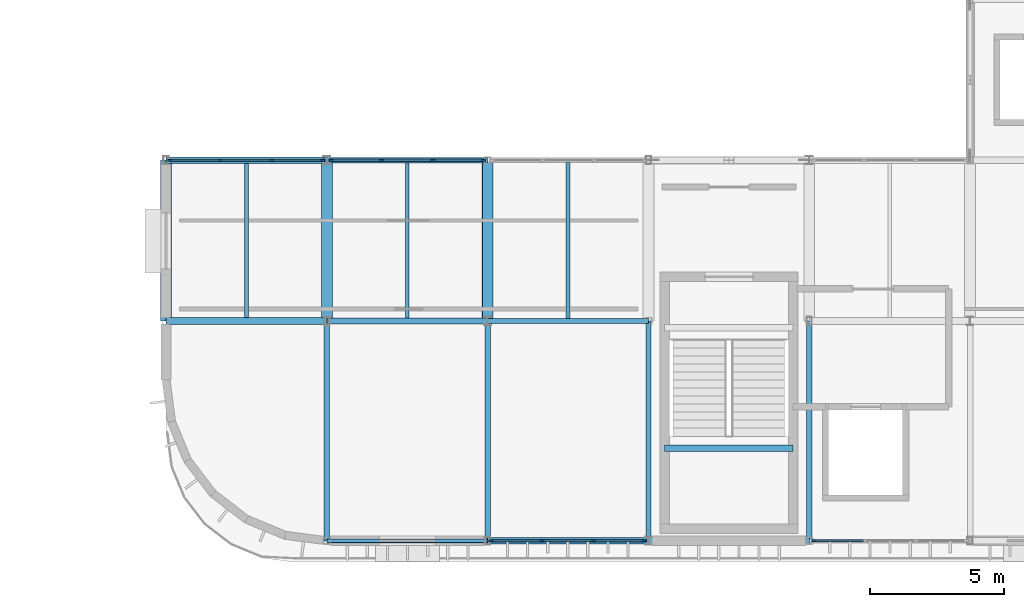
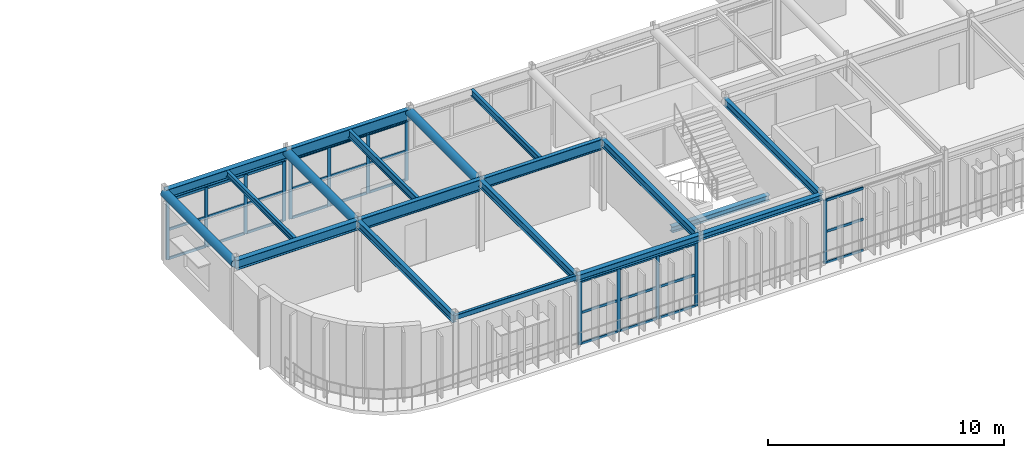
# One storey, part 4 of 27: 43 members, 19 beams, 4 elements without a shape of their own.
"""IFC4 building model written with IfcOpenShell, lengths in metres."""

from ifc_helpers import new_model, si_unit, direction, frame, origin, origin_2d, place, context, subcontext, project, spatial, rectangle, hollow_rectangle, hollow_circle, i_section, extrude, material, material_profile, profile_set, type_object, element, aggregate, save


model = new_model("IFC4")

# Units and contexts
model_context = context("Model", 3, precision=1e-05, world=origin(), true_north=direction((0.0, 1.0)))
body_context = subcontext(model_context, "Body", "Model", "MODEL_VIEW")
ifc_project = project(units=[si_unit("LENGTHUNIT", "METRE"), si_unit("AREAUNIT", "SQUARE_METRE"), si_unit("VOLUMEUNIT", "CUBIC_METRE"), si_unit("PLANEANGLEUNIT", "RADIAN"), si_unit("MASSUNIT", "GRAM", prefix="KILO")], contexts=[model_context])

# Site, building, storey
site_placement = place(None, origin())
site = spatial("IfcSite", under=ifc_project, at=site_placement, CompositionType="ELEMENT")
building_placement = place(site_placement, origin())
building = spatial("IfcBuilding", under=site, at=building_placement, Name="Varnakota Square Police Headquarters", CompositionType="ELEMENT")
storey_placement = place(building_placement, frame((0.0, 0.0, 26.10009765625)))
storey = spatial("IfcBuildingStorey", under=building, at=storey_placement, Name="L06", CompositionType="ELEMENT", Elevation=26.10009765625)

# Beams
ifc_material_1 = material(Name="Steel IS 2062 Grade 350", Category="steel")
ifc_material_profile_1 = material_profile(ifc_material_1, hollow_circle(Radius=0.203125, WallThickness=0.01611328125, at=origin_2d()), Name="CHS 406.4x16.0")
ifc_profile_set_1 = profile_set([ifc_material_profile_1], Name="Steel IS 2062 Grade 350")
beam_type_1 = type_object("IfcBeamType", Name="BM-ARC-CHS406", PredefinedType="BEAM", material=ifc_profile_set_1)
for number, where, z_axis, x_axis, name in (
    (1, (108.0, 9.0, 3.48681640625), (0.0, 1.0, 0.0), (-1.0, 0.0, 0.0), "BMG-L06-3336"),
    (2, (114.0, 9.0, 3.48681640625), (0.0, 1.0, 0.0), (-1.0, 0.0, 0.0), "BMG-L06-3338"),
    (3, (120.0, 9.0, 3.48681640625), (0.0, 1.0, 0.0), (-1.0, 0.0, 0.0), "BMG-L06-3340"),
):
    element("IfcBeam", number, at=place(storey_placement, frame(where, z_axis=z_axis, x_axis=x_axis)), inside=storey, type_object=beam_type_1, Name=name, PredefinedType="BEAM", context=body_context, shape_type="SweptSolid", body=[
        extrude(hollow_circle(Radius=0.203125, WallThickness=0.01611328125, at=origin_2d()), origin(), (0.0, 0.0, 1.0), 6.0),
    ])
ifc_material_profile_2 = material_profile(ifc_material_1, hollow_rectangle(XDim=0.14990234375, YDim=0.25, WallThickness=0.010009765625, InnerFilletRadius=0.010009765625, OuterFilletRadius=0.02001953125, at=origin_2d()), Name="RHS 250x150x10")
ifc_profile_set_2 = profile_set([ifc_material_profile_2], Name="Steel IS 2062 Grade 350")
beam_type_2 = type_object("IfcBeamType", Name="BM-CBEAM-RHS250", PredefinedType="BEAM", material=ifc_profile_set_2)
beam_1_placement = place(storey_placement, frame((114.0, 0.800048828125, 3.56494140625), z_axis=(1.0, 0.0, 0.0), x_axis=(0.0, 1.0, 0.0)))
element("IfcBeam", 4, at=beam_1_placement, inside=storey, type_object=beam_type_2, Name="BMG-L06-3297", PredefinedType="BEAM", context=body_context, shape_type="SweptSolid", body=[
    extrude(hollow_rectangle(XDim=0.14990234375, YDim=0.25, WallThickness=0.010009765625, InnerFilletRadius=0.010009765625, OuterFilletRadius=0.02001953125, at=origin_2d()), origin(), (0.0, 0.0, 1.0), 6.0),
])
ifc_material_profile_3 = material_profile(ifc_material_1, i_section(OverallWidth=0.25, OverallDepth=0.300048828125, WebThickness=0.009521484375, FlangeThickness=0.010498046875, FilletRadius=0.011962890625, at=origin_2d()), Name="ISHB 300")
ifc_profile_set_3 = profile_set([ifc_material_profile_3], Name="Steel IS 2062 Grade 350")
beam_type_3 = type_object("IfcBeamType", Name="BM-ISHB300", PredefinedType="BEAM", material=ifc_profile_set_3)
beam_2_placement = place(storey_placement, frame((126.0, 0.800048828125, 3.539794921875), z_axis=(1.0, 0.0, 0.0), x_axis=(0.0, 1.0, 0.0)))
element("IfcBeam", 5, at=beam_2_placement, inside=storey, type_object=beam_type_3, Name="BMG-L06-3299", PredefinedType="BEAM", context=body_context, shape_type="SweptSolid", body=[
    extrude(i_section(OverallWidth=0.25, OverallDepth=0.300048828125, WebThickness=0.009521484375, FlangeThickness=0.010498046875, FilletRadius=0.011962890625, at=origin_2d()), origin(), (0.0, 0.0, 1.0), 6.0),
])
beam_3_placement = place(storey_placement, frame((126.60009765625, 4.24951171875, 1.6337890625), z_axis=(1.0, 0.0, 0.0), x_axis=(0.0, 1.0, 0.0)))
element("IfcBeam", 6, at=beam_3_placement, inside=storey, type_object=beam_type_3, Name="Stair landing support beam BM-LND-0014", PredefinedType="BEAM", context=body_context, shape_type="SweptSolid", body=[
    extrude(i_section(OverallWidth=0.25, OverallDepth=0.300048828125, WebThickness=0.009521484375, FlangeThickness=0.010498046875, FilletRadius=0.011962890625, at=origin_2d()), origin(), (0.0, 0.0, 1.0), 4.7998046875),
])
ifc_material_profile_4 = material_profile(ifc_material_1, i_section(OverallWidth=0.25, OverallDepth=0.35009765625, WebThickness=0.010009765625, FlangeThickness=0.01171875, FilletRadius=0.011962890625, at=origin_2d()), Name="ISHB 350")
ifc_profile_set_4 = profile_set([ifc_material_profile_4], Name="Steel IS 2062 Grade 350")
beam_type_4 = type_object("IfcBeamType", Name="BM-ISHB350", PredefinedType="BEAM", material=ifc_profile_set_4)
beam_4_placement = place(storey_placement, frame((120.0, 0.800048828125, 3.514892578125), z_axis=(1.0, 0.0, 0.0), x_axis=(0.0, 1.0, 0.0)))
element("IfcBeam", 7, at=beam_4_placement, inside=storey, type_object=beam_type_4, Name="BMG-L06-3298", PredefinedType="BEAM", context=body_context, shape_type="SweptSolid", body=[
    extrude(i_section(OverallWidth=0.25, OverallDepth=0.35009765625, WebThickness=0.010009765625, FlangeThickness=0.01171875, FilletRadius=0.011962890625, at=origin_2d()), origin(), (0.0, 0.0, 1.0), 6.0),
])
ifc_material_profile_5 = material_profile(ifc_material_1, i_section(OverallWidth=0.139892578125, OverallDepth=0.300048828125, WebThickness=0.0078125, FlangeThickness=0.01318359375, FilletRadius=0.013916015625, at=origin_2d()), Name="ISMB 300")
ifc_profile_set_5 = profile_set([ifc_material_profile_5], Name="Steel IS 2062 Grade 350")
beam_type_5 = type_object("IfcBeamType", Name="BM-ISMB300", PredefinedType="JOIST", material=ifc_profile_set_5)
beam_5_placement = place(storey_placement, frame((111.0, 9.123046875, 3.539794921875), z_axis=(0.0, 1.0, 0.0), x_axis=(-1.0, 0.0, 0.0)))
element("IfcBeam", 8, at=beam_5_placement, inside=storey, type_object=beam_type_5, Name="BMG-L06-3372", PredefinedType="JOIST", context=body_context, shape_type="SweptSolid", body=[
    extrude(i_section(OverallWidth=0.139892578125, OverallDepth=0.300048828125, WebThickness=0.0078125, FlangeThickness=0.01318359375, FilletRadius=0.013916015625, at=origin_2d()), origin(), (0.0, 0.0, 1.0), 5.75390625),
])
ifc_material_profile_6 = material_profile(ifc_material_1, i_section(OverallWidth=0.139892578125, OverallDepth=0.35009765625, WebThickness=0.008056640625, FlangeThickness=0.01416015625, FilletRadius=0.013916015625, at=origin_2d()), Name="ISMB 350")
ifc_profile_set_6 = profile_set([ifc_material_profile_6], Name="Steel IS 2062 Grade 350")
beam_type_6 = type_object("IfcBeamType", Name="BM-ISMB350", PredefinedType="JOIST", material=ifc_profile_set_6)
beam_6_placement = place(storey_placement, frame((123.0, 9.093017578125, 3.514892578125), z_axis=(0.0, 1.0, 0.0), x_axis=(-1.0, 0.0, 0.0)))
element("IfcBeam", 9, at=beam_6_placement, inside=storey, type_object=beam_type_6, Name="BMG-L06-3374", PredefinedType="JOIST", context=body_context, shape_type="SweptSolid", body=[
    extrude(i_section(OverallWidth=0.139892578125, OverallDepth=0.35009765625, WebThickness=0.008056640625, FlangeThickness=0.01416015625, FilletRadius=0.013916015625, at=origin_2d()), origin(), (0.0, 0.0, 1.0), 5.81396484375),
])
ifc_material_profile_7 = material_profile(ifc_material_1, i_section(OverallWidth=0.139892578125, OverallDepth=0.39990234375, WebThickness=0.0087890625, FlangeThickness=0.01611328125, FilletRadius=0.013916015625, at=origin_2d()), Name="ISMB 400")
ifc_profile_set_7 = profile_set([ifc_material_profile_7], Name="Steel IS 2062 Grade 350")
beam_type_7 = type_object("IfcBeamType", Name="BM-ISMB400", PredefinedType="JOIST", material=ifc_profile_set_7)
beam_7_placement = place(storey_placement, frame((117.0, 9.10302734375, 3.489990234375), z_axis=(0.0, 1.0, 0.0), x_axis=(-1.0, 0.0, 0.0)))
element("IfcBeam", 10, at=beam_7_placement, inside=storey, type_object=beam_type_7, Name="BMG-L06-3373", PredefinedType="JOIST", context=body_context, shape_type="SweptSolid", body=[
    extrude(i_section(OverallWidth=0.139892578125, OverallDepth=0.39990234375, WebThickness=0.0087890625, FlangeThickness=0.01611328125, FilletRadius=0.013916015625, at=origin_2d()), origin(), (0.0, 0.0, 1.0), 5.7939453125),
])
ifc_material_profile_8 = material_profile(ifc_material_1, i_section(OverallWidth=0.18994140625, OverallDepth=0.550048828125, WebThickness=0.01123046875, FlangeThickness=0.019287109375, FilletRadius=0.01806640625, at=origin_2d()), Name="ISMB 550")
ifc_profile_set_8 = profile_set([ifc_material_profile_8], Name="Steel IS 2062 Grade 350")
beam_type_8 = type_object("IfcBeamType", Name="BM-ISMB550", PredefinedType="BEAM", material=ifc_profile_set_8)
beam_8_placement = place(storey_placement, frame((120.0, 9.0, 3.414794921875), z_axis=(1.0, 0.0, 0.0), x_axis=(0.0, 1.0, 0.0)))
element("IfcBeam", 11, at=beam_8_placement, inside=storey, type_object=beam_type_8, Name="BMG-L06-3306", PredefinedType="BEAM", context=body_context, shape_type="SweptSolid", body=[
    extrude(i_section(OverallWidth=0.18994140625, OverallDepth=0.550048828125, WebThickness=0.01123046875, FlangeThickness=0.019287109375, FilletRadius=0.01806640625, at=origin_2d()), origin(), (0.0, 0.0, 1.0), 6.0),
])
ifc_material_profile_9 = material_profile(ifc_material_1, i_section(OverallWidth=0.2099609375, OverallDepth=0.60009765625, WebThickness=0.011962890625, FlangeThickness=0.020751953125, FilletRadius=0.02001953125, at=origin_2d()), Name="ISMB 600")
ifc_profile_set_9 = profile_set([ifc_material_profile_9], Name="Steel IS 2062 Grade 350")
beam_type_9 = type_object("IfcBeamType", Name="BM-ISMB600", PredefinedType="BEAM", material=ifc_profile_set_9)
for number, where, z_axis, x_axis, name in (
    (12, (114.0, 9.0, 3.389892578125), (1.0, 0.0, 0.0), (0.0, 1.0, 0.0), "BMG-L06-3305"),
    (13, (114.0, 15.0, 3.389892578125), (1.0, 0.0, 0.0), (0.0, 1.0, 0.0), "BMG-L06-3313"),
):
    element("IfcBeam", number, at=place(storey_placement, frame(where, z_axis=z_axis, x_axis=x_axis)), inside=storey, type_object=beam_type_9, Name=name, PredefinedType="BEAM", context=body_context, shape_type="SweptSolid", body=[
        extrude(i_section(OverallWidth=0.2099609375, OverallDepth=0.60009765625, WebThickness=0.011962890625, FlangeThickness=0.020751953125, FilletRadius=0.02001953125, at=origin_2d()), origin(), (0.0, 0.0, 1.0), 6.0),
    ])
ifc_material_profile_10 = material_profile(ifc_material_1, i_section(OverallWidth=0.199951171875, OverallDepth=0.39990234375, WebThickness=0.008544921875, FlangeThickness=0.012939453125, FilletRadius=0.012939453125, at=origin_2d()), Name="ISWB 400")
ifc_profile_set_10 = profile_set([ifc_material_profile_10], Name="Steel IS 2062 Grade 350")
beam_type_10 = type_object("IfcBeamType", Name="BM-ISWB400", PredefinedType="BEAM", material=ifc_profile_set_10)
for number, where, z_axis, x_axis, name in (
    (14, (114.0, 0.800048828125, 3.489990234375), (0.0, 1.0, 0.0), (-1.0, 0.0, 0.0), "BMG-L06-3337"),
    (15, (120.0, 0.800048828125, 3.489990234375), (0.0, 1.0, 0.0), (-1.0, 0.0, 0.0), "BMG-L06-3339"),
    (16, (126.0, 0.800048828125, 3.489990234375), (0.0, 1.0, 0.0), (-1.0, 0.0, 0.0), "BMG-L06-3341"),
    (17, (132.0, 0.800048828125, 3.489990234375), (0.0, 1.0, 0.0), (-1.0, 0.0, 0.0), "BMG-L06-3343"),
):
    element("IfcBeam", number, at=place(storey_placement, frame(where, z_axis=z_axis, x_axis=x_axis)), inside=storey, type_object=beam_type_10, Name=name, PredefinedType="BEAM", context=body_context, shape_type="SweptSolid", body=[
        extrude(i_section(OverallWidth=0.199951171875, OverallDepth=0.39990234375, WebThickness=0.008544921875, FlangeThickness=0.012939453125, FilletRadius=0.012939453125, at=origin_2d()), origin(), (0.0, 0.0, 1.0), 8.199951171875),
    ])
ifc_material_profile_11 = material_profile(ifc_material_1, i_section(OverallWidth=0.25, OverallDepth=0.5, WebThickness=0.010009765625, FlangeThickness=0.0146484375, FilletRadius=0.014892578125, at=origin_2d()), Name="ISWB 500")
ifc_profile_set_11 = profile_set([ifc_material_profile_11], Name="Steel IS 2062 Grade 350")
beam_type_11 = type_object("IfcBeamType", Name="BM-ISWB500", PredefinedType="BEAM", material=ifc_profile_set_11)
for number, where, z_axis, x_axis, name in (
    (18, (108.0, 9.0, 3.43994140625), (1.0, 0.0, 0.0), (0.0, 1.0, 0.0), "BMG-L06-3304"),
    (19, (108.0, 15.0, 3.43994140625), (1.0, 0.0, 0.0), (0.0, 1.0, 0.0), "BMG-L06-3312"),
):
    element("IfcBeam", number, at=place(storey_placement, frame(where, z_axis=z_axis, x_axis=x_axis)), inside=storey, type_object=beam_type_11, Name=name, PredefinedType="BEAM", context=body_context, shape_type="SweptSolid", body=[
        extrude(i_section(OverallWidth=0.25, OverallDepth=0.5, WebThickness=0.010009765625, FlangeThickness=0.0146484375, FilletRadius=0.014892578125, at=origin_2d()), origin(), (0.0, 0.0, 1.0), 6.0),
    ])

# Curtain wall, members
ifc_material_2 = material(Name="Anodised Aluminium Framing", Category="aluminium")
curtain_wall_type_1 = type_object("IfcCurtainWallType", Name="CW-SYS-F", PredefinedType="NOTDEFINED", material=ifc_material_2)
curtain_wall_1_placement = place(storey_placement, origin())
curtain_wall_1 = element("IfcCurtainWall", 20, at=curtain_wall_1_placement, inside=storey, type_object=curtain_wall_type_1, Name="Unitised curtain wall CWG-L06-110", PredefinedType="NOTDEFINED")
ifc_material_3 = material(Name="Anodised Aluminium 6063-T6", Category="aluminium")
ifc_material_profile_12 = material_profile(ifc_material_3, rectangle(XDim=0.06494140625, YDim=0.159912109375, at=origin_2d()), Name="ALU MULLION 65x160")
ifc_profile_set_12 = profile_set([ifc_material_profile_12], Name="Anodised Aluminium 6063-T6")
member_type_1 = type_object("IfcMemberType", Name="CWM-150", PredefinedType="MULLION", material=ifc_profile_set_12)
member_1_placement = place(storey_placement, frame((120.137451171875, 0.800048828125, 0.0), z_axis=(0.0, 0.0, 1.0), x_axis=(0.0, 1.0, 0.0)))
member_1 = element("IfcMember", 21, at=member_1_placement, type_object=member_type_1, Name="CWG-L06-110 mullion 1", PredefinedType="MULLION", context=body_context, shape_type="SweptSolid", body=[
    extrude(rectangle(XDim=0.06494140625, YDim=0.159912109375, at=origin_2d()), origin(), (0.0, 0.0, 1.0), 3.27978515625),
])
member_2_placement = place(storey_placement, frame((122.026611328125, 0.800048828125, 0.0), z_axis=(0.0, 0.0, 1.0), x_axis=(0.0, 1.0, 0.0)))
member_2 = element("IfcMember", 22, at=member_2_placement, type_object=member_type_1, Name="CWG-L06-110 mullion 2", PredefinedType="MULLION", context=body_context, shape_type="SweptSolid", body=[
    extrude(rectangle(XDim=0.06494140625, YDim=0.159912109375, at=origin_2d()), origin(), (0.0, 0.0, 1.0), 3.27978515625),
])
member_3_placement = place(storey_placement, frame((123.9482421875, 0.800048828125, 0.0), z_axis=(0.0, 0.0, 1.0), x_axis=(0.0, 1.0, 0.0)))
member_3 = element("IfcMember", 23, at=member_3_placement, type_object=member_type_1, Name="CWG-L06-110 mullion 3", PredefinedType="MULLION", context=body_context, shape_type="SweptSolid", body=[
    extrude(rectangle(XDim=0.06494140625, YDim=0.159912109375, at=origin_2d()), origin(), (0.0, 0.0, 1.0), 3.27978515625),
])
member_4_placement = place(storey_placement, frame((125.83740234375, 0.800048828125, 0.0), z_axis=(0.0, 0.0, 1.0), x_axis=(0.0, 1.0, 0.0)))
member_4 = element("IfcMember", 24, at=member_4_placement, type_object=member_type_1, Name="CWG-L06-110 mullion 4", PredefinedType="MULLION", context=body_context, shape_type="SweptSolid", body=[
    extrude(rectangle(XDim=0.06494140625, YDim=0.159912109375, at=origin_2d()), origin(), (0.0, 0.0, 1.0), 3.27978515625),
])

# Curtain wall, member
curtain_wall_2_placement = place(storey_placement, origin())
curtain_wall_2 = element("IfcCurtainWall", 25, at=curtain_wall_2_placement, inside=storey, type_object=curtain_wall_type_1, Name="Unitised curtain wall CWG-L06-111", PredefinedType="NOTDEFINED")
member_5_placement = place(storey_placement, frame((132.16259765625, 0.800048828125, 0.0), z_axis=(0.0, 0.0, 1.0), x_axis=(0.0, 1.0, 0.0)))
member_5 = element("IfcMember", 26, at=member_5_placement, type_object=member_type_1, Name="CWG-L06-111 mullion 1", PredefinedType="MULLION", context=body_context, shape_type="SweptSolid", body=[
    extrude(rectangle(XDim=0.06494140625, YDim=0.159912109375, at=origin_2d()), origin(), (0.0, 0.0, 1.0), 3.27978515625),
])

# Curtain wall, members
curtain_wall_type_2 = type_object("IfcCurtainWallType", Name="CW-SYS-D", PredefinedType="NOTDEFINED", material=ifc_material_2)
curtain_wall_3_placement = place(storey_placement, origin())
curtain_wall_3 = element("IfcCurtainWall", 27, at=curtain_wall_3_placement, inside=storey, type_object=curtain_wall_type_2, Name="Unitised curtain wall CWG-L06-113", PredefinedType="NOTDEFINED")
member_6_placement = place(storey_placement, frame((108.137451171875, 15.0, 0.0), z_axis=(0.0, 0.0, 1.0), x_axis=(0.0, 1.0, 0.0)))
member_6 = element("IfcMember", 28, at=member_6_placement, type_object=member_type_1, Name="CWG-L06-113 mullion 1", PredefinedType="MULLION", context=body_context, shape_type="SweptSolid", body=[
    extrude(rectangle(XDim=0.06494140625, YDim=0.159912109375, at=origin_2d()), origin(), (0.0, 0.0, 1.0), 3.079833984375),
])
member_7_placement = place(storey_placement, frame((110.026611328125, 15.0, 0.0), z_axis=(0.0, 0.0, 1.0), x_axis=(0.0, 1.0, 0.0)))
member_7 = element("IfcMember", 29, at=member_7_placement, type_object=member_type_1, Name="CWG-L06-113 mullion 2", PredefinedType="MULLION", context=body_context, shape_type="SweptSolid", body=[
    extrude(rectangle(XDim=0.06494140625, YDim=0.159912109375, at=origin_2d()), origin(), (0.0, 0.0, 1.0), 3.079833984375),
])
member_8_placement = place(storey_placement, frame((111.9482421875, 15.0, 0.0), z_axis=(0.0, 0.0, 1.0), x_axis=(0.0, 1.0, 0.0)))
member_8 = element("IfcMember", 30, at=member_8_placement, type_object=member_type_1, Name="CWG-L06-113 mullion 3", PredefinedType="MULLION", context=body_context, shape_type="SweptSolid", body=[
    extrude(rectangle(XDim=0.06494140625, YDim=0.159912109375, at=origin_2d()), origin(), (0.0, 0.0, 1.0), 3.079833984375),
])
member_9_placement = place(storey_placement, frame((113.83740234375, 15.0, 0.0), z_axis=(0.0, 0.0, 1.0), x_axis=(0.0, 1.0, 0.0)))
member_9 = element("IfcMember", 31, at=member_9_placement, type_object=member_type_1, Name="CWG-L06-113 mullion 4", PredefinedType="MULLION", context=body_context, shape_type="SweptSolid", body=[
    extrude(rectangle(XDim=0.06494140625, YDim=0.159912109375, at=origin_2d()), origin(), (0.0, 0.0, 1.0), 3.079833984375),
])

curtain_wall_4_placement = place(storey_placement, origin())
curtain_wall_4 = element("IfcCurtainWall", 32, at=curtain_wall_4_placement, inside=storey, type_object=curtain_wall_type_2, Name="Unitised curtain wall CWG-L06-114", PredefinedType="NOTDEFINED")
member_10_placement = place(storey_placement, frame((114.16259765625, 15.0, 0.0), z_axis=(0.0, 0.0, 1.0), x_axis=(0.0, 1.0, 0.0)))
member_10 = element("IfcMember", 33, at=member_10_placement, type_object=member_type_1, Name="CWG-L06-114 mullion 1", PredefinedType="MULLION", context=body_context, shape_type="SweptSolid", body=[
    extrude(rectangle(XDim=0.06494140625, YDim=0.159912109375, at=origin_2d()), origin(), (0.0, 0.0, 1.0), 3.079833984375),
])
member_11_placement = place(storey_placement, frame((116.043212890625, 15.0, 0.0), z_axis=(0.0, 0.0, 1.0), x_axis=(0.0, 1.0, 0.0)))
member_11 = element("IfcMember", 34, at=member_11_placement, type_object=member_type_1, Name="CWG-L06-114 mullion 2", PredefinedType="MULLION", context=body_context, shape_type="SweptSolid", body=[
    extrude(rectangle(XDim=0.06494140625, YDim=0.159912109375, at=origin_2d()), origin(), (0.0, 0.0, 1.0), 3.079833984375),
])
member_12_placement = place(storey_placement, frame((117.956787109375, 15.0, 0.0), z_axis=(0.0, 0.0, 1.0), x_axis=(0.0, 1.0, 0.0)))
member_12 = element("IfcMember", 35, at=member_12_placement, type_object=member_type_1, Name="CWG-L06-114 mullion 3", PredefinedType="MULLION", context=body_context, shape_type="SweptSolid", body=[
    extrude(rectangle(XDim=0.06494140625, YDim=0.159912109375, at=origin_2d()), origin(), (0.0, 0.0, 1.0), 3.079833984375),
])
member_13_placement = place(storey_placement, frame((119.83740234375, 15.0, 0.0), z_axis=(0.0, 0.0, 1.0), x_axis=(0.0, 1.0, 0.0)))
member_13 = element("IfcMember", 36, at=member_13_placement, type_object=member_type_1, Name="CWG-L06-114 mullion 4", PredefinedType="MULLION", context=body_context, shape_type="SweptSolid", body=[
    extrude(rectangle(XDim=0.06494140625, YDim=0.159912109375, at=origin_2d()), origin(), (0.0, 0.0, 1.0), 3.079833984375),
])

# Member
ifc_material_profile_13 = material_profile(ifc_material_3, rectangle(XDim=0.06494140625, YDim=0.1298828125, at=origin_2d()), Name="ALU TRANSOM 65x130")
ifc_profile_set_13 = profile_set([ifc_material_profile_13], Name="Anodised Aluminium 6063-T6")
member_type_2 = type_object("IfcMemberType", Name="CWT-120", PredefinedType="USERDEFINED", material=ifc_profile_set_13)
member_14_placement = place(storey_placement, frame((120.169921875, 0.800048828125, 0.032470703125), z_axis=(1.0, 0.0, 0.0), x_axis=(0.0, 1.0, 0.0)))
member_14 = element("IfcMember", 37, at=member_14_placement, type_object=member_type_2, Name="CWG-L06-110 transom 1.1", ObjectType="TRANSOM", PredefinedType="USERDEFINED", context=body_context, shape_type="SweptSolid", body=[
    extrude(rectangle(XDim=0.06494140625, YDim=0.1298828125, at=origin_2d()), origin(), (0.0, 0.0, 1.0), 1.82421875),
])

member_15_placement = place(storey_placement, frame((120.169921875, 0.800048828125, 1.639892578125), z_axis=(1.0, 0.0, 0.0), x_axis=(0.0, 1.0, 0.0)))
member_15 = element("IfcMember", 38, at=member_15_placement, type_object=member_type_2, Name="CWG-L06-110 transom 1.2", ObjectType="TRANSOM", PredefinedType="USERDEFINED", context=body_context, shape_type="SweptSolid", body=[
    extrude(rectangle(XDim=0.06494140625, YDim=0.1298828125, at=origin_2d()), origin(), (0.0, 0.0, 1.0), 1.82421875),
])

member_16_placement = place(storey_placement, frame((120.169921875, 0.800048828125, 3.247314453125), z_axis=(1.0, 0.0, 0.0), x_axis=(0.0, 1.0, 0.0)))
member_16 = element("IfcMember", 39, at=member_16_placement, type_object=member_type_2, Name="CWG-L06-110 transom 1.3", ObjectType="TRANSOM", PredefinedType="USERDEFINED", context=body_context, shape_type="SweptSolid", body=[
    extrude(rectangle(XDim=0.06494140625, YDim=0.1298828125, at=origin_2d()), origin(), (0.0, 0.0, 1.0), 1.82421875),
])

member_17_placement = place(storey_placement, frame((122.05908203125, 0.800048828125, 0.032470703125), z_axis=(1.0, 0.0, 0.0), x_axis=(0.0, 1.0, 0.0)))
member_17 = element("IfcMember", 40, at=member_17_placement, type_object=member_type_2, Name="CWG-L06-110 transom 2.1", ObjectType="TRANSOM", PredefinedType="USERDEFINED", context=body_context, shape_type="SweptSolid", body=[
    extrude(rectangle(XDim=0.06494140625, YDim=0.1298828125, at=origin_2d()), origin(), (0.0, 0.0, 1.0), 1.856689453125),
])

member_18_placement = place(storey_placement, frame((122.05908203125, 0.800048828125, 1.639892578125), z_axis=(1.0, 0.0, 0.0), x_axis=(0.0, 1.0, 0.0)))
member_18 = element("IfcMember", 41, at=member_18_placement, type_object=member_type_2, Name="CWG-L06-110 transom 2.2", ObjectType="TRANSOM", PredefinedType="USERDEFINED", context=body_context, shape_type="SweptSolid", body=[
    extrude(rectangle(XDim=0.06494140625, YDim=0.1298828125, at=origin_2d()), origin(), (0.0, 0.0, 1.0), 1.856689453125),
])

member_19_placement = place(storey_placement, frame((122.05908203125, 0.800048828125, 3.247314453125), z_axis=(1.0, 0.0, 0.0), x_axis=(0.0, 1.0, 0.0)))
member_19 = element("IfcMember", 42, at=member_19_placement, type_object=member_type_2, Name="CWG-L06-110 transom 2.3", ObjectType="TRANSOM", PredefinedType="USERDEFINED", context=body_context, shape_type="SweptSolid", body=[
    extrude(rectangle(XDim=0.06494140625, YDim=0.1298828125, at=origin_2d()), origin(), (0.0, 0.0, 1.0), 1.856689453125),
])

member_20_placement = place(storey_placement, frame((123.980712890625, 0.800048828125, 0.032470703125), z_axis=(1.0, 0.0, 0.0), x_axis=(0.0, 1.0, 0.0)))
member_20 = element("IfcMember", 43, at=member_20_placement, type_object=member_type_2, Name="CWG-L06-110 transom 3.1", ObjectType="TRANSOM", PredefinedType="USERDEFINED", context=body_context, shape_type="SweptSolid", body=[
    extrude(rectangle(XDim=0.06494140625, YDim=0.1298828125, at=origin_2d()), origin(), (0.0, 0.0, 1.0), 1.82421875),
])

member_21_placement = place(storey_placement, frame((123.980712890625, 0.800048828125, 1.639892578125), z_axis=(1.0, 0.0, 0.0), x_axis=(0.0, 1.0, 0.0)))
member_21 = element("IfcMember", 44, at=member_21_placement, type_object=member_type_2, Name="CWG-L06-110 transom 3.2", ObjectType="TRANSOM", PredefinedType="USERDEFINED", context=body_context, shape_type="SweptSolid", body=[
    extrude(rectangle(XDim=0.06494140625, YDim=0.1298828125, at=origin_2d()), origin(), (0.0, 0.0, 1.0), 1.82421875),
])

member_22_placement = place(storey_placement, frame((123.980712890625, 0.800048828125, 3.247314453125), z_axis=(1.0, 0.0, 0.0), x_axis=(0.0, 1.0, 0.0)))
member_22 = element("IfcMember", 45, at=member_22_placement, type_object=member_type_2, Name="CWG-L06-110 transom 3.3", ObjectType="TRANSOM", PredefinedType="USERDEFINED", context=body_context, shape_type="SweptSolid", body=[
    extrude(rectangle(XDim=0.06494140625, YDim=0.1298828125, at=origin_2d()), origin(), (0.0, 0.0, 1.0), 1.82421875),
])

aggregate(curtain_wall_1, [member_1, member_2, member_3, member_4, member_14, member_15, member_16, member_17, member_18, member_19, member_20, member_21, member_22])

member_23_placement = place(storey_placement, frame((132.195068359375, 0.800048828125, 0.032470703125), z_axis=(1.0, 0.0, 0.0), x_axis=(0.0, 1.0, 0.0)))
member_23 = element("IfcMember", 46, at=member_23_placement, type_object=member_type_2, Name="CWG-L06-111 transom 1.1", ObjectType="TRANSOM", PredefinedType="USERDEFINED", context=body_context, shape_type="SweptSolid", body=[
    extrude(rectangle(XDim=0.06494140625, YDim=0.1298828125, at=origin_2d()), origin(), (0.0, 0.0, 1.0), 1.82421875),
])

member_24_placement = place(storey_placement, frame((132.195068359375, 0.800048828125, 1.639892578125), z_axis=(1.0, 0.0, 0.0), x_axis=(0.0, 1.0, 0.0)))
member_24 = element("IfcMember", 47, at=member_24_placement, type_object=member_type_2, Name="CWG-L06-111 transom 1.2", ObjectType="TRANSOM", PredefinedType="USERDEFINED", context=body_context, shape_type="SweptSolid", body=[
    extrude(rectangle(XDim=0.06494140625, YDim=0.1298828125, at=origin_2d()), origin(), (0.0, 0.0, 1.0), 1.82421875),
])

member_25_placement = place(storey_placement, frame((132.195068359375, 0.800048828125, 3.247314453125), z_axis=(1.0, 0.0, 0.0), x_axis=(0.0, 1.0, 0.0)))
member_25 = element("IfcMember", 48, at=member_25_placement, type_object=member_type_2, Name="CWG-L06-111 transom 1.3", ObjectType="TRANSOM", PredefinedType="USERDEFINED", context=body_context, shape_type="SweptSolid", body=[
    extrude(rectangle(XDim=0.06494140625, YDim=0.1298828125, at=origin_2d()), origin(), (0.0, 0.0, 1.0), 1.82421875),
])

aggregate(curtain_wall_2, [member_5, member_23, member_24, member_25])

member_26_placement = place(storey_placement, frame((108.169921875, 15.0, 0.032470703125), z_axis=(1.0, 0.0, 0.0), x_axis=(0.0, 1.0, 0.0)))
member_26 = element("IfcMember", 49, at=member_26_placement, type_object=member_type_2, Name="CWG-L06-113 transom 1.1", ObjectType="TRANSOM", PredefinedType="USERDEFINED", context=body_context, shape_type="SweptSolid", body=[
    extrude(rectangle(XDim=0.06494140625, YDim=0.1298828125, at=origin_2d()), origin(), (0.0, 0.0, 1.0), 1.82421875),
])

member_27_placement = place(storey_placement, frame((108.169921875, 15.0, 1.539794921875), z_axis=(1.0, 0.0, 0.0), x_axis=(0.0, 1.0, 0.0)))
member_27 = element("IfcMember", 50, at=member_27_placement, type_object=member_type_2, Name="CWG-L06-113 transom 1.2", ObjectType="TRANSOM", PredefinedType="USERDEFINED", context=body_context, shape_type="SweptSolid", body=[
    extrude(rectangle(XDim=0.06494140625, YDim=0.1298828125, at=origin_2d()), origin(), (0.0, 0.0, 1.0), 1.82421875),
])

member_28_placement = place(storey_placement, frame((108.169921875, 15.0, 3.04736328125), z_axis=(1.0, 0.0, 0.0), x_axis=(0.0, 1.0, 0.0)))
member_28 = element("IfcMember", 51, at=member_28_placement, type_object=member_type_2, Name="CWG-L06-113 transom 1.3", ObjectType="TRANSOM", PredefinedType="USERDEFINED", context=body_context, shape_type="SweptSolid", body=[
    extrude(rectangle(XDim=0.06494140625, YDim=0.1298828125, at=origin_2d()), origin(), (0.0, 0.0, 1.0), 1.82421875),
])

member_29_placement = place(storey_placement, frame((110.05908203125, 15.0, 0.032470703125), z_axis=(1.0, 0.0, 0.0), x_axis=(0.0, 1.0, 0.0)))
member_29 = element("IfcMember", 52, at=member_29_placement, type_object=member_type_2, Name="CWG-L06-113 transom 2.1", ObjectType="TRANSOM", PredefinedType="USERDEFINED", context=body_context, shape_type="SweptSolid", body=[
    extrude(rectangle(XDim=0.06494140625, YDim=0.1298828125, at=origin_2d()), origin(), (0.0, 0.0, 1.0), 1.856689453125),
])

member_30_placement = place(storey_placement, frame((110.05908203125, 15.0, 1.539794921875), z_axis=(1.0, 0.0, 0.0), x_axis=(0.0, 1.0, 0.0)))
member_30 = element("IfcMember", 53, at=member_30_placement, type_object=member_type_2, Name="CWG-L06-113 transom 2.2", ObjectType="TRANSOM", PredefinedType="USERDEFINED", context=body_context, shape_type="SweptSolid", body=[
    extrude(rectangle(XDim=0.06494140625, YDim=0.1298828125, at=origin_2d()), origin(), (0.0, 0.0, 1.0), 1.856689453125),
])

member_31_placement = place(storey_placement, frame((110.05908203125, 15.0, 3.04736328125), z_axis=(1.0, 0.0, 0.0), x_axis=(0.0, 1.0, 0.0)))
member_31 = element("IfcMember", 54, at=member_31_placement, type_object=member_type_2, Name="CWG-L06-113 transom 2.3", ObjectType="TRANSOM", PredefinedType="USERDEFINED", context=body_context, shape_type="SweptSolid", body=[
    extrude(rectangle(XDim=0.06494140625, YDim=0.1298828125, at=origin_2d()), origin(), (0.0, 0.0, 1.0), 1.856689453125),
])

member_32_placement = place(storey_placement, frame((111.980712890625, 15.0, 0.032470703125), z_axis=(1.0, 0.0, 0.0), x_axis=(0.0, 1.0, 0.0)))
member_32 = element("IfcMember", 55, at=member_32_placement, type_object=member_type_2, Name="CWG-L06-113 transom 3.1", ObjectType="TRANSOM", PredefinedType="USERDEFINED", context=body_context, shape_type="SweptSolid", body=[
    extrude(rectangle(XDim=0.06494140625, YDim=0.1298828125, at=origin_2d()), origin(), (0.0, 0.0, 1.0), 1.82421875),
])

member_33_placement = place(storey_placement, frame((111.980712890625, 15.0, 1.539794921875), z_axis=(1.0, 0.0, 0.0), x_axis=(0.0, 1.0, 0.0)))
member_33 = element("IfcMember", 56, at=member_33_placement, type_object=member_type_2, Name="CWG-L06-113 transom 3.2", ObjectType="TRANSOM", PredefinedType="USERDEFINED", context=body_context, shape_type="SweptSolid", body=[
    extrude(rectangle(XDim=0.06494140625, YDim=0.1298828125, at=origin_2d()), origin(), (0.0, 0.0, 1.0), 1.82421875),
])

member_34_placement = place(storey_placement, frame((111.980712890625, 15.0, 3.04736328125), z_axis=(1.0, 0.0, 0.0), x_axis=(0.0, 1.0, 0.0)))
member_34 = element("IfcMember", 57, at=member_34_placement, type_object=member_type_2, Name="CWG-L06-113 transom 3.3", ObjectType="TRANSOM", PredefinedType="USERDEFINED", context=body_context, shape_type="SweptSolid", body=[
    extrude(rectangle(XDim=0.06494140625, YDim=0.1298828125, at=origin_2d()), origin(), (0.0, 0.0, 1.0), 1.82421875),
])

aggregate(curtain_wall_3, [member_6, member_7, member_8, member_9, member_26, member_27, member_28, member_29, member_30, member_31, member_32, member_33, member_34])

member_35_placement = place(storey_placement, frame((114.195068359375, 15.0, 0.032470703125), z_axis=(1.0, 0.0, 0.0), x_axis=(0.0, 1.0, 0.0)))
member_35 = element("IfcMember", 58, at=member_35_placement, type_object=member_type_2, Name="CWG-L06-114 transom 1.1", ObjectType="TRANSOM", PredefinedType="USERDEFINED", context=body_context, shape_type="SweptSolid", body=[
    extrude(rectangle(XDim=0.06494140625, YDim=0.1298828125, at=origin_2d()), origin(), (0.0, 0.0, 1.0), 1.815673828125),
])

member_36_placement = place(storey_placement, frame((114.195068359375, 15.0, 1.539794921875), z_axis=(1.0, 0.0, 0.0), x_axis=(0.0, 1.0, 0.0)))
member_36 = element("IfcMember", 59, at=member_36_placement, type_object=member_type_2, Name="CWG-L06-114 transom 1.2", ObjectType="TRANSOM", PredefinedType="USERDEFINED", context=body_context, shape_type="SweptSolid", body=[
    extrude(rectangle(XDim=0.06494140625, YDim=0.1298828125, at=origin_2d()), origin(), (0.0, 0.0, 1.0), 1.815673828125),
])

member_37_placement = place(storey_placement, frame((114.195068359375, 15.0, 3.04736328125), z_axis=(1.0, 0.0, 0.0), x_axis=(0.0, 1.0, 0.0)))
member_37 = element("IfcMember", 60, at=member_37_placement, type_object=member_type_2, Name="CWG-L06-114 transom 1.3", ObjectType="TRANSOM", PredefinedType="USERDEFINED", context=body_context, shape_type="SweptSolid", body=[
    extrude(rectangle(XDim=0.06494140625, YDim=0.1298828125, at=origin_2d()), origin(), (0.0, 0.0, 1.0), 1.815673828125),
])

member_38_placement = place(storey_placement, frame((116.075927734375, 15.0, 0.032470703125), z_axis=(1.0, 0.0, 0.0), x_axis=(0.0, 1.0, 0.0)))
member_38 = element("IfcMember", 61, at=member_38_placement, type_object=member_type_2, Name="CWG-L06-114 transom 2.1", ObjectType="TRANSOM", PredefinedType="USERDEFINED", context=body_context, shape_type="SweptSolid", body=[
    extrude(rectangle(XDim=0.06494140625, YDim=0.1298828125, at=origin_2d()), origin(), (0.0, 0.0, 1.0), 1.84814453125),
])

member_39_placement = place(storey_placement, frame((116.075927734375, 15.0, 1.539794921875), z_axis=(1.0, 0.0, 0.0), x_axis=(0.0, 1.0, 0.0)))
member_39 = element("IfcMember", 62, at=member_39_placement, type_object=member_type_2, Name="CWG-L06-114 transom 2.2", ObjectType="TRANSOM", PredefinedType="USERDEFINED", context=body_context, shape_type="SweptSolid", body=[
    extrude(rectangle(XDim=0.06494140625, YDim=0.1298828125, at=origin_2d()), origin(), (0.0, 0.0, 1.0), 1.84814453125),
])

member_40_placement = place(storey_placement, frame((116.075927734375, 15.0, 3.04736328125), z_axis=(1.0, 0.0, 0.0), x_axis=(0.0, 1.0, 0.0)))
member_40 = element("IfcMember", 63, at=member_40_placement, type_object=member_type_2, Name="CWG-L06-114 transom 2.3", ObjectType="TRANSOM", PredefinedType="USERDEFINED", context=body_context, shape_type="SweptSolid", body=[
    extrude(rectangle(XDim=0.06494140625, YDim=0.1298828125, at=origin_2d()), origin(), (0.0, 0.0, 1.0), 1.84814453125),
])

member_41_placement = place(storey_placement, frame((117.9892578125, 15.0, 0.032470703125), z_axis=(1.0, 0.0, 0.0), x_axis=(0.0, 1.0, 0.0)))
member_41 = element("IfcMember", 64, at=member_41_placement, type_object=member_type_2, Name="CWG-L06-114 transom 3.1", ObjectType="TRANSOM", PredefinedType="USERDEFINED", context=body_context, shape_type="SweptSolid", body=[
    extrude(rectangle(XDim=0.06494140625, YDim=0.1298828125, at=origin_2d()), origin(), (0.0, 0.0, 1.0), 1.815673828125),
])

member_42_placement = place(storey_placement, frame((117.9892578125, 15.0, 1.539794921875), z_axis=(1.0, 0.0, 0.0), x_axis=(0.0, 1.0, 0.0)))
member_42 = element("IfcMember", 65, at=member_42_placement, type_object=member_type_2, Name="CWG-L06-114 transom 3.2", ObjectType="TRANSOM", PredefinedType="USERDEFINED", context=body_context, shape_type="SweptSolid", body=[
    extrude(rectangle(XDim=0.06494140625, YDim=0.1298828125, at=origin_2d()), origin(), (0.0, 0.0, 1.0), 1.815673828125),
])

member_43_placement = place(storey_placement, frame((117.9892578125, 15.0, 3.04736328125), z_axis=(1.0, 0.0, 0.0), x_axis=(0.0, 1.0, 0.0)))
member_43 = element("IfcMember", 66, at=member_43_placement, type_object=member_type_2, Name="CWG-L06-114 transom 3.3", ObjectType="TRANSOM", PredefinedType="USERDEFINED", context=body_context, shape_type="SweptSolid", body=[
    extrude(rectangle(XDim=0.06494140625, YDim=0.1298828125, at=origin_2d()), origin(), (0.0, 0.0, 1.0), 1.815673828125),
])

aggregate(curtain_wall_4, [member_10, member_11, member_12, member_13, member_35, member_36, member_37, member_38, member_39, member_40, member_41, member_42, member_43])

save(model, "model.ifc")
